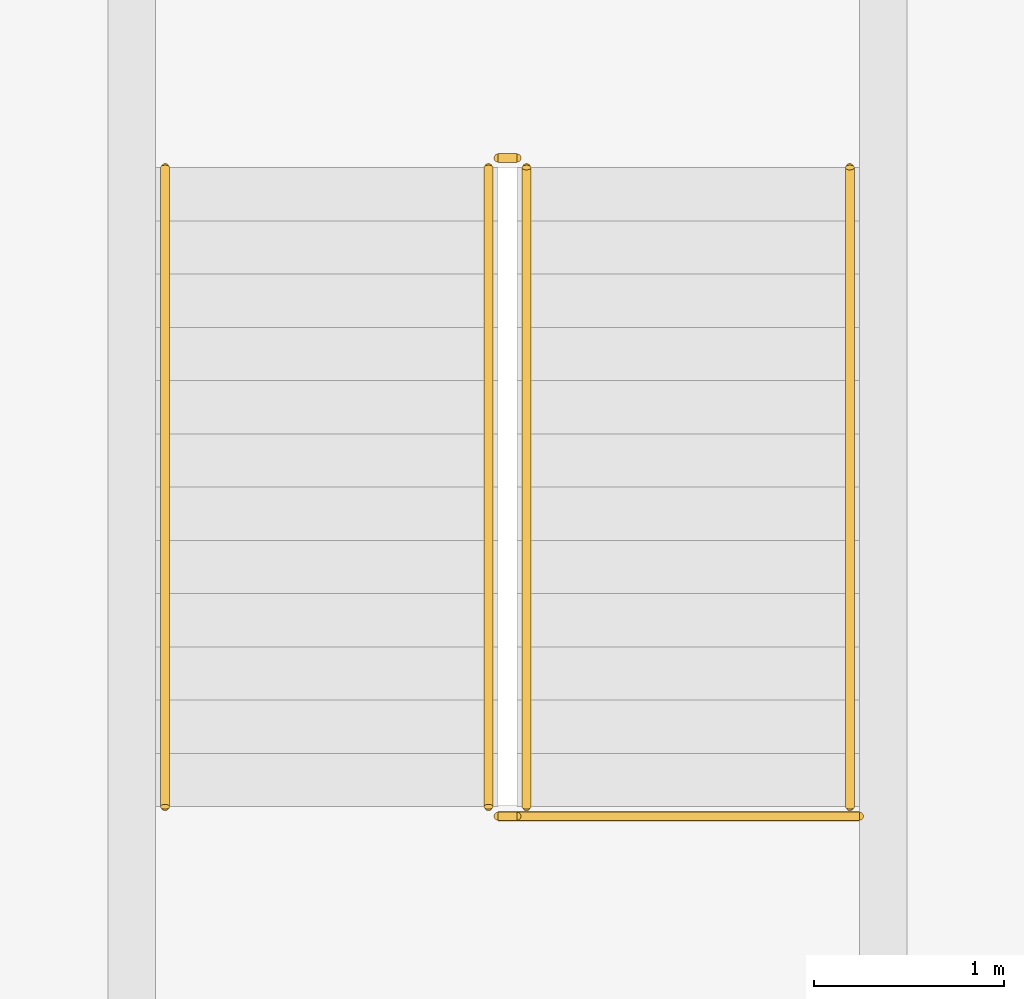
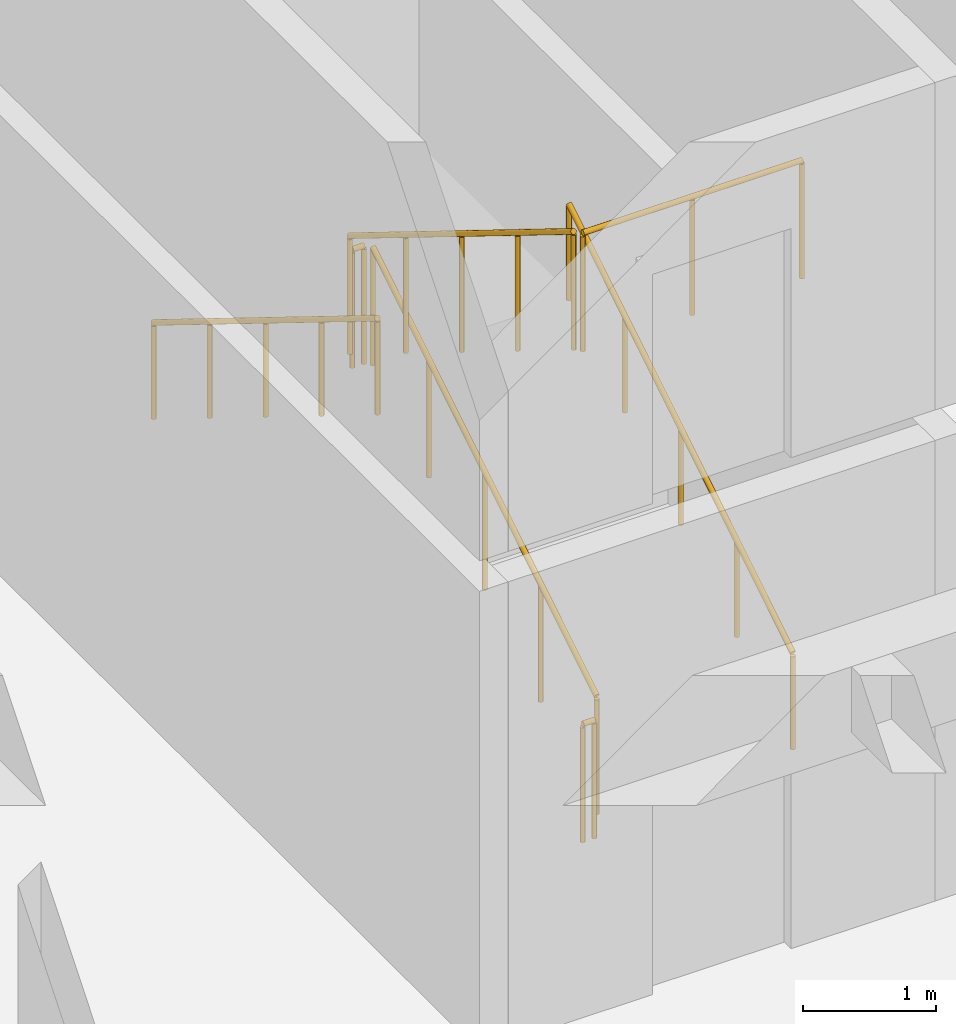
# One storey, part 32 of 35: 7 railings.
"""IFC4 building model written with IfcOpenShell, lengths in metres."""

from ifc_helpers import new_model, si_unit, direction, frame, origin, origin_2d, place, context, subcontext, project, spatial, circle, extrude, material, type_object, element, save


model = new_model("IFC4")

# Units and contexts
model_context = context("Model", 3, precision=1e-05, world=origin(), true_north=direction((0.0, 1.0)))
body_context = subcontext(model_context, "Body", "Model", "MODEL_VIEW")
ifc_project = project(units=[si_unit("LENGTHUNIT", "METRE"), si_unit("AREAUNIT", "SQUARE_METRE"), si_unit("VOLUMEUNIT", "CUBIC_METRE"), si_unit("PLANEANGLEUNIT", "RADIAN"), si_unit("MASSUNIT", "GRAM", prefix="KILO")], contexts=[model_context])

# Site, building, storey
site_placement = place(None, origin())
site = spatial("IfcSite", under=ifc_project, at=site_placement, CompositionType="ELEMENT")
building_placement = place(site_placement, origin())
building = spatial("IfcBuilding", under=site, at=building_placement, Name="Kilnfold Tower and Market Hall", CompositionType="ELEMENT")
storey_placement = place(building_placement, frame((0.0, 0.0, 22.5)))
storey = spatial("IfcBuildingStorey", under=building, at=storey_placement, Name="L04", CompositionType="ELEMENT", Elevation=22.5)

# Railings
ifc_material_1 = material(Name="Steel S355", Category="steel")
railing_type_1 = type_object("IfcRailingType", Name="HALL STAIR GUARD 1100", PredefinedType="GUARDRAIL", material=ifc_material_1)
railing_1_placement = place(storey_placement, frame((-12.550048828125, 46.699951171875, 0.173095703125)))
element("IfcRailing", 1, at=railing_1_placement, inside=storey, type_object=railing_type_1, Name="L04 MS4 stair guard 1", PredefinedType="GUARDRAIL", context=body_context, shape_type="SweptSolid", body=[
    extrude(circle(Radius=0.02392578125, at=origin_2d()), frame((0.0, 0.0, 1.076171875), z_axis=(0.0, 0.850623216509, 0.525775754039), x_axis=(-1.0, 0.0, 0.0)), (0.0, 0.0, 1.0), 3.9501953125),
    extrude(circle(Radius=0.02099609375, at=origin_2d()), origin(), (0.0, 0.0, 1.0), 1.052001953125),
    extrude(circle(Radius=0.02099609375, at=origin_2d()), frame((0.0, 0.840087890625, 0.519287109375)), (0.0, 0.0, 1.0), 1.052001953125),
    extrude(circle(Radius=0.02099609375, at=origin_2d()), frame((0.0, 1.68017578125, 1.03857421875)), (0.0, 0.0, 1.0), 1.052001953125),
    extrude(circle(Radius=0.02099609375, at=origin_2d()), frame((0.0, 2.52001953125, 1.5576171875)), (0.0, 0.0, 1.0), 1.052001953125),
    extrude(circle(Radius=0.02099609375, at=origin_2d()), frame((0.0, 3.360107421875, 2.076904296875)), (0.0, 0.0, 1.0), 1.052001953125),
])
railing_2_placement = place(storey_placement, frame((-12.60009765625, 50.110107421875, 2.25)))
element("IfcRailing", 2, at=railing_2_placement, inside=storey, type_object=railing_type_1, Name="L04 MS4 stair guard 2", PredefinedType="GUARDRAIL", context=body_context, shape_type="SweptSolid", body=[
    extrude(circle(Radius=0.02392578125, at=origin_2d()), frame((0.0, 0.0, 1.076171875), z_axis=(-1.0, 0.0, 0.0), x_axis=(0.0, -1.0, 0.0)), (0.0, 0.0, 1.0), 0.099853515625),
    extrude(circle(Radius=0.02099609375, at=origin_2d()), origin(), (0.0, 0.0, 1.0), 1.052001953125),
    extrude(circle(Radius=0.02099609375, at=origin_2d()), frame((-0.099853515625, 0.0, 0.0)), (0.0, 0.0, 1.0), 1.052001953125),
])
railing_3_placement = place(storey_placement, frame((-12.75, 50.06005859375, 2.423095703125)))
element("IfcRailing", 3, at=railing_3_placement, inside=storey, type_object=railing_type_1, Name="L04 MS4 stair guard 3", PredefinedType="GUARDRAIL", context=body_context, shape_type="SweptSolid", body=[
    extrude(circle(Radius=0.02392578125, at=origin_2d()), frame((0.0, 0.0, 1.076171875), z_axis=(0.0, -0.850623216509, 0.525775754039), x_axis=(1.0, 0.0, 0.0)), (0.0, 0.0, 1.0), 3.9501953125),
    extrude(circle(Radius=0.02099609375, at=origin_2d()), origin(), (0.0, 0.0, 1.0), 1.052001953125),
    extrude(circle(Radius=0.02099609375, at=origin_2d()), frame((0.0, -0.840087890625, 0.519287109375)), (0.0, 0.0, 1.0), 1.052001953125),
    extrude(circle(Radius=0.02099609375, at=origin_2d()), frame((0.0, -1.68017578125, 1.03857421875)), (0.0, 0.0, 1.0), 1.052001953125),
    extrude(circle(Radius=0.02099609375, at=origin_2d()), frame((0.0, -2.52001953125, 1.5576171875)), (0.0, 0.0, 1.0), 1.052001953125),
    extrude(circle(Radius=0.02099609375, at=origin_2d()), frame((0.0, -3.360107421875, 2.076904296875)), (0.0, 0.0, 1.0), 1.052001953125),
])
railing_4_placement = place(storey_placement, frame((-12.60009765625, 46.64990234375, 0.0)))
element("IfcRailing", 4, at=railing_4_placement, inside=storey, type_object=railing_type_1, Name="L04 MS4 stair guard 4", PredefinedType="GUARDRAIL", context=body_context, shape_type="SweptSolid", body=[
    extrude(circle(Radius=0.02392578125, at=origin_2d()), frame((0.0, 0.0, 1.076171875), z_axis=(-1.0, 0.0, 0.0), x_axis=(0.0, -1.0, 0.0)), (0.0, 0.0, 1.0), 0.099853515625),
    extrude(circle(Radius=0.02099609375, at=origin_2d()), origin(), (0.0, 0.0, 1.0), 1.052001953125),
    extrude(circle(Radius=0.02099609375, at=origin_2d()), frame((-0.099853515625, 0.0, 0.0)), (0.0, 0.0, 1.0), 1.052001953125),
])
railing_5_placement = place(storey_placement, frame((-10.800048828125, 46.64990234375, 4.5)))
element("IfcRailing", 5, at=railing_5_placement, inside=storey, type_object=railing_type_1, Name="L04 MS4 top well guard 1", PredefinedType="GUARDRAIL", context=body_context, shape_type="SweptSolid", body=[
    extrude(circle(Radius=0.02392578125, at=origin_2d()), frame((0.0, 0.0, 1.076171875), z_axis=(-1.0, 0.0, 0.0), x_axis=(0.0, -1.0, 0.0)), (0.0, 0.0, 1.0), 1.89990234375),
    extrude(circle(Radius=0.02099609375, at=origin_2d()), origin(), (0.0, 0.0, 1.0), 1.052001953125),
    extrude(circle(Radius=0.02099609375, at=origin_2d()), frame((-0.949951171875, 0.0, 0.0)), (0.0, 0.0, 1.0), 1.052001953125),
    extrude(circle(Radius=0.02099609375, at=origin_2d()), frame((-1.89990234375, 0.0, 0.0)), (0.0, 0.0, 1.0), 1.052001953125),
])
ifc_material_2 = material(Name="Steel S355", Category="steel")
railing_type_2 = type_object("IfcRailingType", Name="HALL STAIR HANDRAIL", PredefinedType="HANDRAIL", material=ifc_material_2)
railing_6_placement = place(storey_placement, frame((-10.85009765625, 46.699951171875, 0.173095703125)))
element("IfcRailing", 6, at=railing_6_placement, inside=storey, type_object=railing_type_2, Name="L04 MS4 stair handrail 1", PredefinedType="HANDRAIL", context=body_context, shape_type="SweptSolid", body=[
    extrude(circle(Radius=0.02392578125, at=origin_2d()), frame((0.0, 0.0, 0.8759765625), z_axis=(0.0, 0.850623216509, 0.525775754039), x_axis=(-1.0, 0.0, 0.0)), (0.0, 0.0, 1.0), 3.9501953125),
    extrude(circle(Radius=0.02099609375, at=origin_2d()), origin(), (0.0, 0.0, 1.0), 0.851806640625),
    extrude(circle(Radius=0.02099609375, at=origin_2d()), frame((0.0, 0.840087890625, 0.519287109375)), (0.0, 0.0, 1.0), 0.851806640625),
    extrude(circle(Radius=0.02099609375, at=origin_2d()), frame((0.0, 1.68017578125, 1.03857421875)), (0.0, 0.0, 1.0), 0.851806640625),
    extrude(circle(Radius=0.02099609375, at=origin_2d()), frame((0.0, 2.52001953125, 1.5576171875)), (0.0, 0.0, 1.0), 0.851806640625),
    extrude(circle(Radius=0.02099609375, at=origin_2d()), frame((0.0, 3.360107421875, 2.076904296875)), (0.0, 0.0, 1.0), 0.851806640625),
])
railing_7_placement = place(storey_placement, frame((-14.449951171875, 50.06005859375, 2.423095703125)))
element("IfcRailing", 7, at=railing_7_placement, inside=storey, type_object=railing_type_2, Name="L04 MS4 stair handrail 2", PredefinedType="HANDRAIL", context=body_context, shape_type="SweptSolid", body=[
    extrude(circle(Radius=0.02392578125, at=origin_2d()), frame((0.0, 0.0, 0.8759765625), z_axis=(0.0, -0.850623216509, 0.525775754039), x_axis=(1.0, 0.0, 0.0)), (0.0, 0.0, 1.0), 3.9501953125),
    extrude(circle(Radius=0.02099609375, at=origin_2d()), origin(), (0.0, 0.0, 1.0), 0.851806640625),
    extrude(circle(Radius=0.02099609375, at=origin_2d()), frame((0.0, -0.840087890625, 0.519287109375)), (0.0, 0.0, 1.0), 0.851806640625),
    extrude(circle(Radius=0.02099609375, at=origin_2d()), frame((0.0, -1.68017578125, 1.03857421875)), (0.0, 0.0, 1.0), 0.851806640625),
    extrude(circle(Radius=0.02099609375, at=origin_2d()), frame((0.0, -2.52001953125, 1.5576171875)), (0.0, 0.0, 1.0), 0.851806640625),
    extrude(circle(Radius=0.02099609375, at=origin_2d()), frame((0.0, -3.360107421875, 2.076904296875)), (0.0, 0.0, 1.0), 0.851806640625),
])

save(model, "model.ifc")
